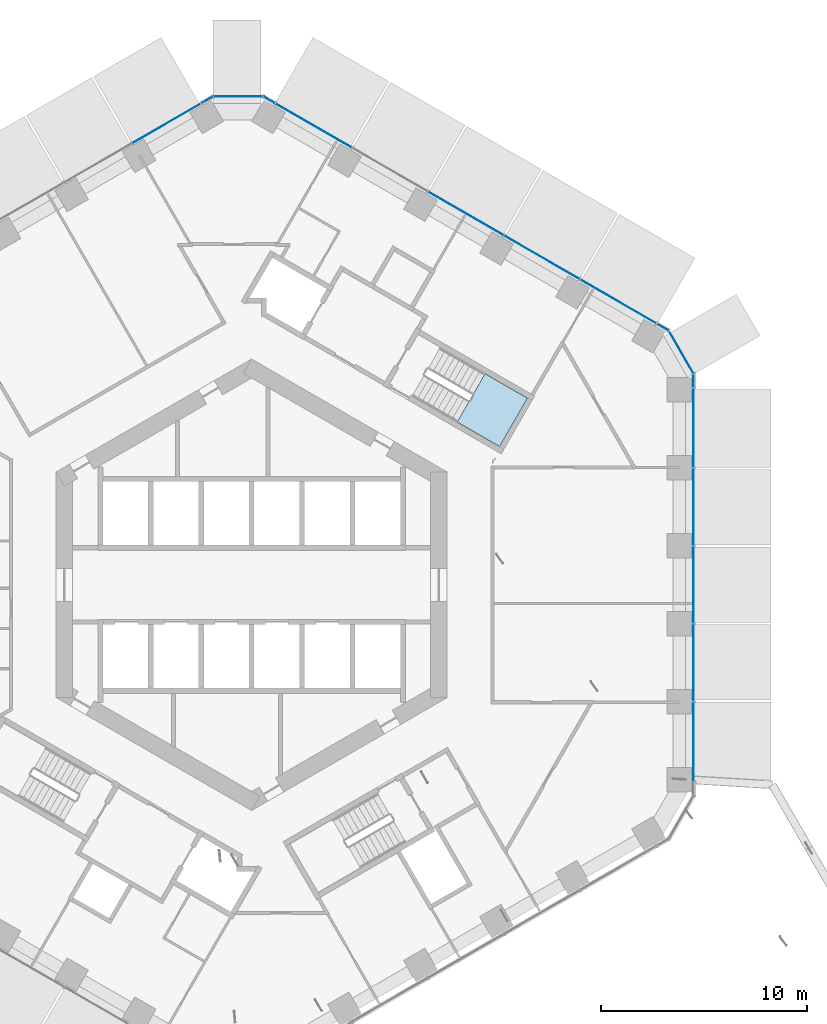
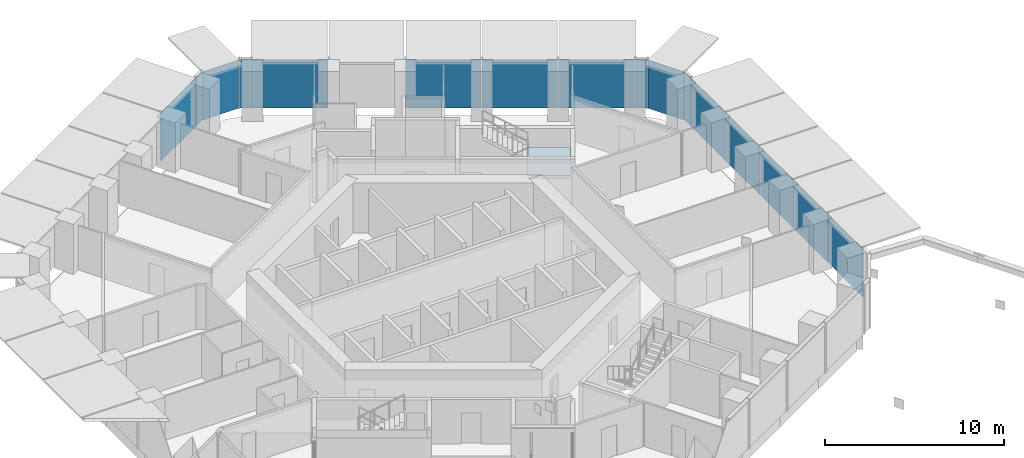
# One storey, part 11 of 22: 16 plates, 1 slab, 6 elements without a shape of their own.
"""IFC4 building model written with IfcOpenShell, lengths in metres."""

from ifc_helpers import new_model, si_unit, direction, frame, origin, origin_2d, place, context, subcontext, project, spatial, polyline, rectangle, outline, extrude, material, layer, layer_set, type_object, element, aggregate, save


model = new_model("IFC4")

# Units and contexts
model_context = context("Model", 3, precision=1e-05, world=origin(), true_north=direction((0.0, 1.0)))
body_context = subcontext(model_context, "Body", "Model", "MODEL_VIEW")
ifc_project = project(units=[si_unit("LENGTHUNIT", "METRE"), si_unit("AREAUNIT", "SQUARE_METRE"), si_unit("VOLUMEUNIT", "CUBIC_METRE"), si_unit("PLANEANGLEUNIT", "RADIAN"), si_unit("MASSUNIT", "GRAM", prefix="KILO")], contexts=[model_context])

# Site, building, storey
site_placement = place(None, origin())
site = spatial("IfcSite", under=ifc_project, at=site_placement, CompositionType="ELEMENT")
building_placement = place(site_placement, origin())
building = spatial("IfcBuilding", under=site, at=building_placement, Name="Ayvan Gate Tower", CompositionType="ELEMENT")
storey_placement = place(building_placement, frame((0.0, 0.0, 62.89990234375)))
storey = spatial("IfcBuildingStorey", under=building, at=storey_placement, Name="L16", CompositionType="ELEMENT", Elevation=62.89990234375)

# Stair, slab
ifc_material_1 = material(Name="Concrete C40/50", Category="concrete")
stair_type = type_object("IfcStairType", Name="ST-EXIT", PredefinedType="HALF_TURN_STAIR", material=ifc_material_1)
stair_placement = place(storey_placement, origin())
stair = element("IfcStair", 1, at=stair_placement, inside=storey, type_object=stair_type, Name="L16 Exit Stair S1", PredefinedType="HALF_TURN_STAIR")
ifc_layer_1 = layer(ifc_material_1, 0.199951171875)
ifc_layer_set_1 = layer_set([ifc_layer_1], Name="Concrete C40/50")
slab_type = type_object("IfcSlabType", Name="SL-LANDING-200", PredefinedType="LANDING", material=ifc_layer_set_1)
slab_placement = place(storey_placement, frame((0.0, 0.0, 1.5)))
slab = element("IfcSlab", 2, at=slab_placement, type_object=slab_type, Name="STS1 landing 1", PredefinedType="LANDING", context=body_context, shape_type="SweptSolid", body=[
    extrude(outline(polyline([(9.988525390625, 7.91064453125), (12.049560546875, 6.720458984375), (13.404541015625, 9.0673828125), (11.343505859375, 10.257568359375), (9.988525390625, 7.91064453125)])), origin(), (0.0, 0.0, 1.0), 0.2001953125),
])
aggregate(stair, [slab])

# Curtain wall, plate
ifc_material_2 = material(Name="Bronze anodised aluminium", Category="aluminium")
ifc_layer_2 = layer(ifc_material_2, 0.199951171875)
ifc_layer_set_2 = layer_set([ifc_layer_2], Name="Bronze anodised aluminium")
curtain_wall_type_1 = type_object("IfcCurtainWallType", Name="Stick curtain wall CW-1", PredefinedType="NOTDEFINED", material=ifc_layer_set_2)
curtain_wall_1_placement = place(storey_placement, origin())
curtain_wall_1 = element("IfcCurtainWall", 3, at=curtain_wall_1_placement, inside=storey, type_object=curtain_wall_type_1, Name="Stick curtain wall CW-1 L16", PredefinedType="NOTDEFINED")
ifc_material_3 = material(Name="Clear low-iron laminated glass", Category="glass")
ifc_layer_3 = layer(ifc_material_3, 0.028076171875)
ifc_layer_set_3 = layer_set([ifc_layer_3], Name="Clear low-iron laminated glass")
plate_type_1 = type_object("IfcPlateType", Name="Stick curtain wall CW-1 glass panel", PredefinedType="CURTAIN_PANEL", material=ifc_layer_set_3)
plate_1_placement = place(storey_placement, frame((-4.11962890625, 22.429931640625, 0.0), z_axis=(0.0, 0.0, 1.0), x_axis=(-0.866025403784, -0.5, 0.0)))
plate_1 = element("IfcPlate", 4, at=plate_1_placement, type_object=plate_type_1, Name="CW-1 glass panel 1", PredefinedType="CURTAIN_PANEL", context=body_context, shape_type="SweptSolid", body=[
    extrude(rectangle(XDim=3.85791015625, YDim=0.028076171875, at=origin_2d()), origin(), (0.0, 0.0, 1.0), 3.280029296875),
])
aggregate(curtain_wall_1, [plate_1])

# Curtain wall, plates
curtain_wall_2_placement = place(storey_placement, origin())
curtain_wall_2 = element("IfcCurtainWall", 5, at=curtain_wall_2_placement, inside=storey, type_object=curtain_wall_type_1, Name="Stick curtain wall CW-1 L16", PredefinedType="NOTDEFINED")
plate_2_placement = place(storey_placement, frame((21.484619140625, -3.792236328125, 0.0), z_axis=(0.0, 0.0, 1.0), x_axis=(0.0, 1.0, 0.0)))
plate_2 = element("IfcPlate", 6, at=plate_2_placement, type_object=plate_type_1, Name="CW-1 glass panel 2", PredefinedType="CURTAIN_PANEL", context=body_context, shape_type="SweptSolid", body=[
    extrude(rectangle(XDim=3.73193359375, YDim=0.028076171875, at=origin_2d()), origin(), (0.0, 0.0, 1.0), 3.280029296875),
])
plate_3_placement = place(storey_placement, frame((21.484619140625, -0.000244140625, 0.0), z_axis=(0.0, 0.0, 1.0), x_axis=(0.0, 1.0, 0.0)))
plate_3 = element("IfcPlate", 7, at=plate_3_placement, type_object=plate_type_1, Name="CW-1 glass panel 3", PredefinedType="CURTAIN_PANEL", context=body_context, shape_type="SweptSolid", body=[
    extrude(rectangle(XDim=3.73193359375, YDim=0.028076171875, at=origin_2d()), origin(), (0.0, 0.0, 1.0), 3.280029296875),
])
plate_4_placement = place(storey_placement, frame((21.484619140625, 3.791748046875, 0.0), z_axis=(0.0, 0.0, 1.0), x_axis=(0.0, 1.0, 0.0)))
plate_4 = element("IfcPlate", 8, at=plate_4_placement, type_object=plate_type_1, Name="CW-1 glass panel 4", PredefinedType="CURTAIN_PANEL", context=body_context, shape_type="SweptSolid", body=[
    extrude(rectangle(XDim=3.73193359375, YDim=0.028076171875, at=origin_2d()), origin(), (0.0, 0.0, 1.0), 3.280029296875),
])
plate_5_placement = place(storey_placement, frame((21.484619140625, 7.64697265625, 0.0), z_axis=(0.0, 0.0, 1.0), x_axis=(0.0, 1.0, 0.0)))
plate_5 = element("IfcPlate", 9, at=plate_5_placement, type_object=plate_type_1, Name="CW-1 glass panel 5", PredefinedType="CURTAIN_PANEL", context=body_context, shape_type="SweptSolid", body=[
    extrude(rectangle(XDim=3.858642578125, YDim=0.028076171875, at=origin_2d()), origin(), (0.0, 0.0, 1.0), 3.280029296875),
])

curtain_wall_3_placement = place(storey_placement, origin())
curtain_wall_3 = element("IfcCurtainWall", 10, at=curtain_wall_3_placement, inside=storey, type_object=curtain_wall_type_1, Name="Stick curtain wall CW-1 L16", PredefinedType="NOTDEFINED")
plate_6_placement = place(storey_placement, frame((17.835205078125, 13.75732421875, 0.0), z_axis=(0.0, 0.0, 1.0), x_axis=(-0.866025403784, 0.5, 0.0)))
plate_6 = element("IfcPlate", 11, at=plate_6_placement, type_object=plate_type_1, Name="CW-1 glass panel 1", PredefinedType="CURTAIN_PANEL", context=body_context, shape_type="SweptSolid", body=[
    extrude(rectangle(XDim=4.280029296875, YDim=0.028076171875, at=origin_2d()), origin(), (0.0, 0.0, 1.0), 3.280029296875),
])
plate_7_placement = place(storey_placement, frame((14.109130859375, 15.90869140625, 0.0), z_axis=(0.0, 0.0, 1.0), x_axis=(-0.866025403784, 0.5, 0.0)))
plate_7 = element("IfcPlate", 12, at=plate_7_placement, type_object=plate_type_1, Name="CW-1 glass panel 2", PredefinedType="CURTAIN_PANEL", context=body_context, shape_type="SweptSolid", body=[
    extrude(rectangle(XDim=4.205078125, YDim=0.028076171875, at=origin_2d()), origin(), (0.0, 0.0, 1.0), 3.280029296875),
])
plate_8_placement = place(storey_placement, frame((10.416015625, 18.040771484375, 0.0), z_axis=(0.0, 0.0, 1.0), x_axis=(-0.866025403784, 0.5, 0.0)))
plate_8 = element("IfcPlate", 13, at=plate_8_placement, type_object=plate_type_1, Name="CW-1 glass panel 3", PredefinedType="CURTAIN_PANEL", context=body_context, shape_type="SweptSolid", body=[
    extrude(rectangle(XDim=4.2041015625, YDim=0.028076171875, at=origin_2d()), origin(), (0.0, 0.0, 1.0), 3.280029296875),
])
plate_9_placement = place(storey_placement, frame((2.99658203125, 22.324462890625, 0.0), z_axis=(0.0, 0.0, 1.0), x_axis=(-0.866025403784, 0.5, 0.0)))
plate_9 = element("IfcPlate", 14, at=plate_9_placement, type_object=plate_type_1, Name="CW-1 glass panel 5", PredefinedType="CURTAIN_PANEL", context=body_context, shape_type="SweptSolid", body=[
    extrude(rectangle(XDim=4.280029296875, YDim=0.028076171875, at=origin_2d()), origin(), (0.0, 0.0, 1.0), 3.280029296875),
])
aggregate(curtain_wall_3, [plate_6, plate_7, plate_8, plate_9])

# Plate
ifc_material_4 = material(Name="Pale anodised aluminium composite panel", Category="aluminium")
ifc_layer_4 = layer(ifc_material_4, 0.028076171875)
ifc_layer_set_4 = layer_set([ifc_layer_4], Name="Pale anodised aluminium composite panel")
plate_type_2 = type_object("IfcPlateType", Name="Stick curtain wall CW-1 solid panel", PredefinedType="CURTAIN_PANEL", material=ifc_layer_set_4)
plate_10_placement = place(storey_placement, frame((21.484619140625, -7.647216796875, 0.0), z_axis=(0.0, 0.0, 1.0), x_axis=(0.0, 1.0, 0.0)))
plate_10 = element("IfcPlate", 15, at=plate_10_placement, type_object=plate_type_2, Name="CW-1 solid panel 1", PredefinedType="CURTAIN_PANEL", context=body_context, shape_type="SweptSolid", body=[
    extrude(rectangle(XDim=3.85791015625, YDim=0.028076171875, at=origin_2d()), origin(), (0.0, 0.0, 1.0), 3.280029296875),
])

aggregate(curtain_wall_2, [plate_10, plate_2, plate_3, plate_4, plate_5])

# Curtain wall, plates
ifc_layer_5 = layer(ifc_material_2, 0.199951171875)
ifc_layer_set_5 = layer_set([ifc_layer_5], Name="Bronze anodised aluminium")
curtain_wall_type_2 = type_object("IfcCurtainWallType", Name="Stick curtain wall CW-6", PredefinedType="NOTDEFINED", material=ifc_layer_set_5)
curtain_wall_4_placement = place(storey_placement, origin())
curtain_wall_4 = element("IfcCurtainWall", 16, at=curtain_wall_4_placement, inside=storey, type_object=curtain_wall_type_2, Name="Stick curtain wall CW-6 L16", PredefinedType="NOTDEFINED")
ifc_layer_6 = layer(ifc_material_3, 0.028076171875)
ifc_layer_set_6 = layer_set([ifc_layer_6], Name="Clear low-iron laminated glass")
plate_type_3 = type_object("IfcPlateType", Name="Stick curtain wall CW-6 glass panel", PredefinedType="CURTAIN_PANEL", material=ifc_layer_set_6)
plate_11_placement = place(storey_placement, frame((21.484619140625, 9.918701171875, 0.0), z_axis=(0.0, 0.0, 1.0), x_axis=(0.0, 1.0, 0.0)))
plate_11 = element("IfcPlate", 17, at=plate_11_placement, type_object=plate_type_3, Name="CW-6 glass panel 1", PredefinedType="CURTAIN_PANEL", context=body_context, shape_type="SweptSolid", body=[
    extrude(rectangle(XDim=0.625, YDim=0.028076171875, at=origin_2d()), origin(), (0.0, 0.0, 1.0), 3.280029296875),
])
plate_12_placement = place(storey_placement, frame((20.880859375, 11.3017578125, 0.0), z_axis=(0.0, 0.0, 1.0), x_axis=(-0.5, 0.866025403784, 0.0)))
plate_12 = element("IfcPlate", 18, at=plate_12_placement, type_object=plate_type_3, Name="CW-6 glass panel 2", PredefinedType="CURTAIN_PANEL", context=body_context, shape_type="SweptSolid", body=[
    extrude(rectangle(XDim=2.364501953125, YDim=0.028076171875, at=origin_2d()), origin(), (0.0, 0.0, 1.0), 3.280029296875),
])
plate_13_placement = place(storey_placement, frame((19.985107421875, 12.51611328125, 0.0), z_axis=(0.0, 0.0, 1.0), x_axis=(-0.866025403784, 0.5, 0.0)))
plate_13 = element("IfcPlate", 19, at=plate_13_placement, type_object=plate_type_3, Name="CW-6 glass panel 3", PredefinedType="CURTAIN_PANEL", context=body_context, shape_type="SweptSolid", body=[
    extrude(rectangle(XDim=0.625, YDim=0.028076171875, at=origin_2d()), origin(), (0.0, 0.0, 1.0), 3.280029296875),
])
aggregate(curtain_wall_4, [plate_11, plate_12, plate_13])

curtain_wall_5_placement = place(storey_placement, origin())
curtain_wall_5 = element("IfcCurtainWall", 20, at=curtain_wall_5_placement, inside=storey, type_object=curtain_wall_type_2, Name="Stick curtain wall CW-6 L16", PredefinedType="NOTDEFINED")
plate_14_placement = place(storey_placement, frame((0.8466796875, 23.565673828125, 0.0), z_axis=(0.0, 0.0, 1.0), x_axis=(-0.866025403784, 0.5, 0.0)))
plate_14 = element("IfcPlate", 21, at=plate_14_placement, type_object=plate_type_3, Name="CW-6 glass panel 1", PredefinedType="CURTAIN_PANEL", context=body_context, shape_type="SweptSolid", body=[
    extrude(rectangle(XDim=0.625, YDim=0.028076171875, at=origin_2d()), origin(), (0.0, 0.0, 1.0), 3.280029296875),
])
plate_15_placement = place(storey_placement, frame((-0.65283203125, 23.734375, 0.0), z_axis=(0.0, 0.0, 1.0), x_axis=(-1.0, 0.0, 0.0)))
plate_15 = element("IfcPlate", 22, at=plate_15_placement, type_object=plate_type_3, Name="CW-6 glass panel 2", PredefinedType="CURTAIN_PANEL", context=body_context, shape_type="SweptSolid", body=[
    extrude(rectangle(XDim=2.364501953125, YDim=0.028076171875, at=origin_2d()), origin(), (0.0, 0.0, 1.0), 3.280029296875),
])
plate_16_placement = place(storey_placement, frame((-2.15234375, 23.565673828125, 0.0), z_axis=(0.0, 0.0, 1.0), x_axis=(-0.866025403784, -0.5, 0.0)))
plate_16 = element("IfcPlate", 23, at=plate_16_placement, type_object=plate_type_3, Name="CW-6 glass panel 3", PredefinedType="CURTAIN_PANEL", context=body_context, shape_type="SweptSolid", body=[
    extrude(rectangle(XDim=0.625, YDim=0.028076171875, at=origin_2d()), origin(), (0.0, 0.0, 1.0), 3.280029296875),
])
aggregate(curtain_wall_5, [plate_14, plate_15, plate_16])

save(model, "model.ifc")
